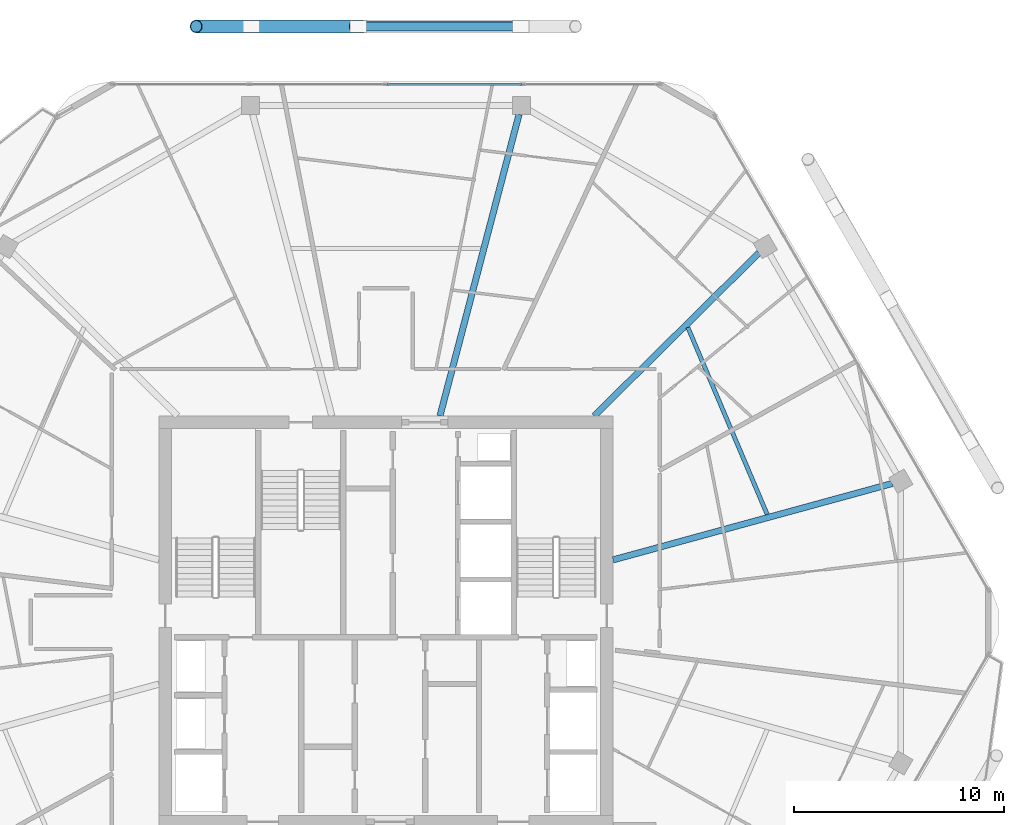
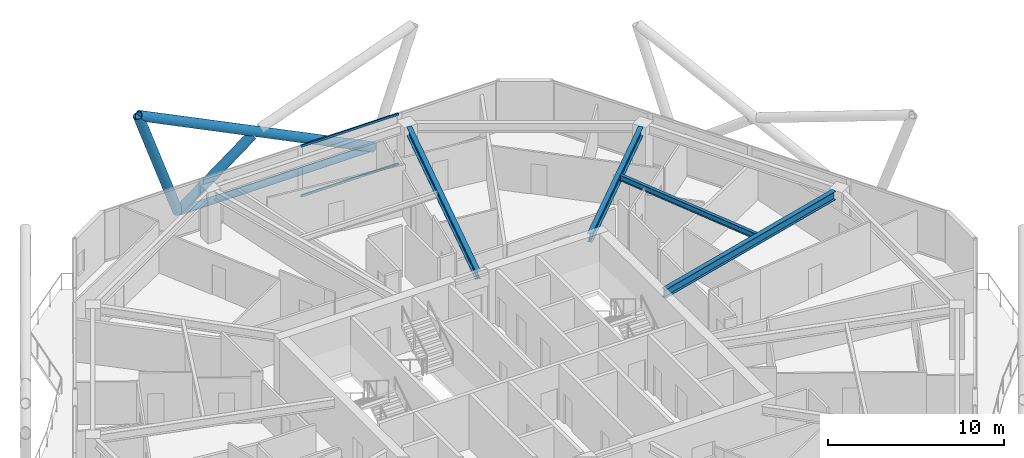
# One storey, part 16 of 29: 6 members, 4 beams, 1 element without a shape of its own.
"""IFC4 building model written with IfcOpenShell, lengths in metres."""

from ifc_helpers import new_model, si_unit, direction, frame, origin, origin_2d, place, context, subcontext, project, spatial, hollow_rectangle, hollow_circle, i_section, extrude, material, material_profile, profile_set, type_object, element, aggregate, save


model = new_model("IFC4")

# Units and contexts
model_context = context("Model", 3, precision=1e-05, world=origin(), true_north=direction((0.0, 1.0)))
body_context = subcontext(model_context, "Body", "Model", "MODEL_VIEW")
ifc_project = project(units=[si_unit("LENGTHUNIT", "METRE"), si_unit("AREAUNIT", "SQUARE_METRE"), si_unit("VOLUMEUNIT", "CUBIC_METRE"), si_unit("PLANEANGLEUNIT", "RADIAN"), si_unit("MASSUNIT", "GRAM", prefix="KILO")], contexts=[model_context])

# Site, building, storey
site_placement = place(None, origin())
site = spatial("IfcSite", under=ifc_project, at=site_placement, CompositionType="ELEMENT")
building_placement = place(site_placement, origin())
building = spatial("IfcBuilding", under=site, at=building_placement, Name="Zuhravey Tower", CompositionType="ELEMENT")
storey_placement = place(building_placement, frame((0.0, 0.0, 269.199951171875)))
storey = spatial("IfcBuildingStorey", under=building, at=storey_placement, Name="L68", CompositionType="ELEMENT", Elevation=269.199951171875)

# Curtain wall, members
ifc_material_1 = material(Name="Thermally broken anodised aluminium", Category="aluminium")
curtain_wall_type = type_object("IfcCurtainWallType", Name="Zone 3-4 High-Rise Curtain Wall CW4", PredefinedType="NOTDEFINED", material=ifc_material_1)
curtain_wall_placement = place(storey_placement, origin())
curtain_wall = element("IfcCurtainWall", 1, at=curtain_wall_placement, inside=storey, type_object=curtain_wall_type, Name="L68 CW4 CW-L68-F2-1", PredefinedType="NOTDEFINED")
ifc_material_2 = material(Name="Anodised aluminium", Category="aluminium")
ifc_material_profile_1 = material_profile(ifc_material_2, hollow_rectangle(XDim=0.090087890625, YDim=0.14990234375, WallThickness=0.0048828125, at=origin_2d()), Name="ALU-RHS-90x150x5")
ifc_profile_set_1 = profile_set([ifc_material_profile_1], Name="Anodised aluminium")
member_type_1 = type_object("IfcMemberType", Name="Curtain-Wall Transom 90x150", PredefinedType="USERDEFINED", material=ifc_profile_set_1)
member_1_placement = place(storey_placement, frame((36.044921875, 57.563720703125, 0.045166015625), z_axis=(1.0, 0.0, 0.0), x_axis=(0.0, 1.0, 0.0)))
member_1 = element("IfcMember", 2, at=member_1_placement, type_object=member_type_1, Name="CW4 transom 3.1", ObjectType="TRANSOM", PredefinedType="USERDEFINED", context=body_context, shape_type="SweptSolid", body=[
    extrude(hollow_rectangle(XDim=0.090087890625, YDim=0.14990234375, WallThickness=0.0048828125, at=origin_2d()), origin(), (0.0, 0.0, 1.0), 6.41650390625),
])
member_2_placement = place(storey_placement, frame((36.044921875, 57.563720703125, 3.505126953125), z_axis=(1.0, 0.0, 0.0), x_axis=(0.0, 1.0, 0.0)))
member_2 = element("IfcMember", 3, at=member_2_placement, type_object=member_type_1, Name="CW4 transom 3.2", ObjectType="TRANSOM", PredefinedType="USERDEFINED", context=body_context, shape_type="SweptSolid", body=[
    extrude(hollow_rectangle(XDim=0.090087890625, YDim=0.14990234375, WallThickness=0.0048828125, at=origin_2d()), origin(), (0.0, 0.0, 1.0), 6.41650390625),
])
aggregate(curtain_wall, [member_1, member_2])

# Members
ifc_material_3 = material(Name="Steel SM355", Category="steel")
ifc_material_profile_2 = material_profile(ifc_material_3, hollow_circle(Radius=0.228515625, WallThickness=0.02197265625, at=origin_2d()), Name="CHS-457.2x22")
ifc_profile_set_2 = profile_set([ifc_material_profile_2], Name="Steel SM355")
member_type_2 = type_object("IfcMemberType", Name="Exoskeleton Ring Tie CHS457x22", PredefinedType="CHORD", material=ifc_profile_set_2)
member_3_placement = place(storey_placement, frame((42.267578125, 60.323486328125, -0.4638671875), z_axis=(-1.0, 0.0, 0.0), x_axis=(0.0, -1.0, 0.0)))
element("IfcMember", 4, at=member_3_placement, inside=storey, type_object=member_type_2, Name="L68 Exoskeleton Face 2 Tie EXR1", PredefinedType="CHORD", context=body_context, shape_type="SweptSolid", body=[
    extrude(hollow_circle(Radius=0.228515625, WallThickness=0.02197265625, at=origin_2d()), origin(), (0.0, 0.0, 1.0), 12.53515625),
])
ifc_material_profile_3 = material_profile(ifc_material_3, hollow_circle(Radius=0.3046875, WallThickness=0.028076171875, at=origin_2d()), Name="CHS-609.6x28")
ifc_profile_set_3 = profile_set([ifc_material_profile_3], Name="Steel SM355")
member_type_3 = type_object("IfcMemberType", Name="Exoskeleton Zone 3 Diagrid CHS610x28", PredefinedType="BRACE", material=ifc_profile_set_3)
member_4_placement = place(storey_placement, frame((42.37109375, 60.323486328125, -0.446044921875), z_axis=(-0.897156160889, 0.0, 0.441713507807), x_axis=(0.0, -1.0, 0.0)))
element("IfcMember", 5, at=member_4_placement, inside=storey, type_object=member_type_3, Name="L68 Face 2 Diagrid Brace 2", PredefinedType="BRACE", context=body_context, shape_type="SweptSolid", body=[
    extrude(hollow_circle(Radius=0.3046875, WallThickness=0.028076171875, at=origin_2d()), origin(), (0.0, 0.0, 1.0), 17.124755859375),
])
member_5_placement = place(storey_placement, frame((29.586181640625, 60.323486328125, -0.446044921875), z_axis=(-0.326050863539, 0.0, 0.945352227683), x_axis=(0.0, -1.0, 0.0)))
element("IfcMember", 6, at=member_5_placement, inside=storey, type_object=member_type_3, Name="L68 Face 2 Diagrid Brace 4", PredefinedType="BRACE", context=body_context, shape_type="SweptSolid", body=[
    extrude(hollow_circle(Radius=0.3046875, WallThickness=0.028076171875, at=origin_2d()), origin(), (0.0, 0.0, 1.0), 8.00146484375),
])
member_6_placement = place(storey_placement, frame((29.625, 60.323486328125, -0.439697265625), z_axis=(0.801714073603, 0.0, 0.597707741448), x_axis=(0.0, 1.0, 0.0)))
element("IfcMember", 7, at=member_6_placement, inside=storey, type_object=member_type_3, Name="L68 Face 2 Split Diagrid Brace 3A", PredefinedType="BRACE", context=body_context, shape_type="SweptSolid", body=[
    extrude(hollow_circle(Radius=0.3046875, WallThickness=0.028076171875, at=origin_2d()), origin(), (0.0, 0.0, 1.0), 6.02197265625),
])

# Beams
ifc_material_profile_4 = material_profile(ifc_material_3, i_section(OverallWidth=0.300048828125, OverallDepth=0.60009765625, WebThickness=0.011962890625, FlangeThickness=0.02001953125, at=origin_2d()), Name="H-600x300x12x20")
ifc_profile_set_4 = profile_set([ifc_material_profile_4], Name="Steel SM355")
beam_type_1 = type_object("IfcBeamType", Name="Radial Primary Girder H600x300", PredefinedType="BEAM", material=ifc_profile_set_4)
beam_1_placement = place(storey_placement, frame((46.802978515625, 34.95556640625, 3.25), z_axis=(0.964549305009, 0.263902705947, 0.0), x_axis=(-0.263902705947, 0.964549305009, 0.0)))
element("IfcBeam", 8, at=beam_1_placement, inside=storey, type_object=beam_type_1, Name="L68 RG3 BM-L68-RAD-01", PredefinedType="BEAM", context=body_context, shape_type="SweptSolid", body=[
    extrude(i_section(OverallWidth=0.300048828125, OverallDepth=0.60009765625, WebThickness=0.011962890625, FlangeThickness=0.02001953125, at=origin_2d()), origin(), (0.0, 0.0, 1.0), 13.756591796875),
])
beam_2_placement = place(storey_placement, frame((45.90673828125, 41.802978515625, 3.25), z_axis=(0.710808169267, 0.70338591577, 0.0), x_axis=(-0.70338591577, 0.710808169267, 0.0)))
element("IfcBeam", 9, at=beam_2_placement, inside=storey, type_object=beam_type_1, Name="L68 RG3 BM-L68-RAD-02", PredefinedType="BEAM", context=body_context, shape_type="SweptSolid", body=[
    extrude(i_section(OverallWidth=0.300048828125, OverallDepth=0.60009765625, WebThickness=0.011962890625, FlangeThickness=0.02001953125, at=origin_2d()), origin(), (0.0, 0.0, 1.0), 11.019287109375),
])
beam_3_placement = place(storey_placement, frame((38.571533203125, 41.802978515625, 3.25), z_axis=(0.25373188956, 0.967274587809, 0.0), x_axis=(-0.967274587809, 0.25373188956, 0.0)))
element("IfcBeam", 10, at=beam_3_placement, inside=storey, type_object=beam_type_1, Name="L68 RG3 BM-L68-RAD-03", PredefinedType="BEAM", context=body_context, shape_type="SweptSolid", body=[
    extrude(i_section(OverallWidth=0.300048828125, OverallDepth=0.60009765625, WebThickness=0.011962890625, FlangeThickness=0.02001953125, at=origin_2d()), origin(), (0.0, 0.0, 1.0), 14.82177734375),
])
ifc_material_profile_5 = material_profile(ifc_material_3, i_section(OverallWidth=0.199951171875, OverallDepth=0.39990234375, WebThickness=0.008056640625, FlangeThickness=0.012939453125, at=origin_2d()), Name="H-400x200x8x13")
ifc_profile_set_5 = profile_set([ifc_material_profile_5], Name="Steel SM355")
beam_type_2 = type_object("IfcBeamType", Name="Secondary Floor Joist H400x200", PredefinedType="JOIST", material=ifc_profile_set_5)
beam_4_placement = place(storey_placement, frame((54.130859375, 37.118896484375, 3.35009765625), z_axis=(-0.390413493754, 0.920639616731, 0.0), x_axis=(-0.920639616731, -0.390413493754, 0.0)))
element("IfcBeam", 11, at=beam_4_placement, inside=storey, type_object=beam_type_2, Name="L68 SJ2 BM-L68-SJ-01-1", PredefinedType="JOIST", context=body_context, shape_type="SweptSolid", body=[
    extrude(i_section(OverallWidth=0.199951171875, OverallDepth=0.39990234375, WebThickness=0.008056640625, FlangeThickness=0.012939453125, at=origin_2d()), origin(), (0.0, 0.0, 1.0), 9.656494140625),
])

save(model, "model.ifc")
